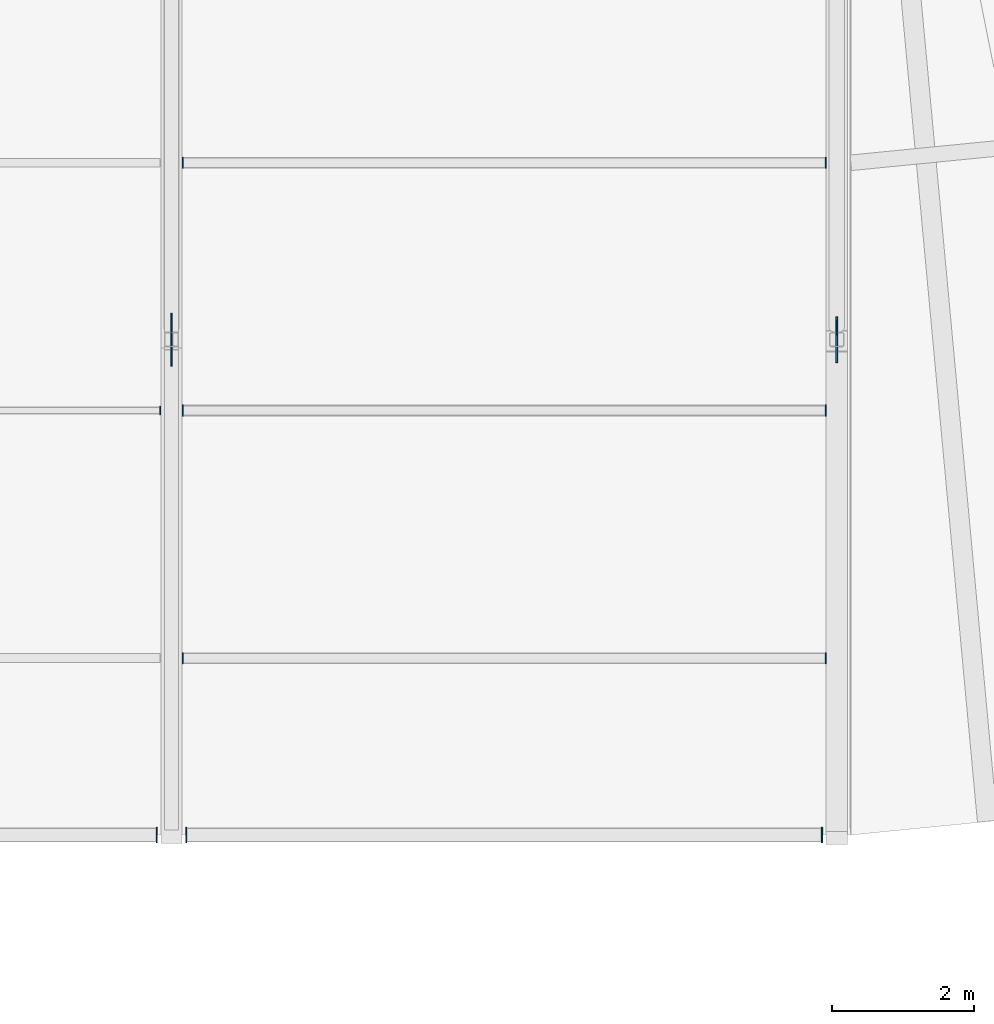
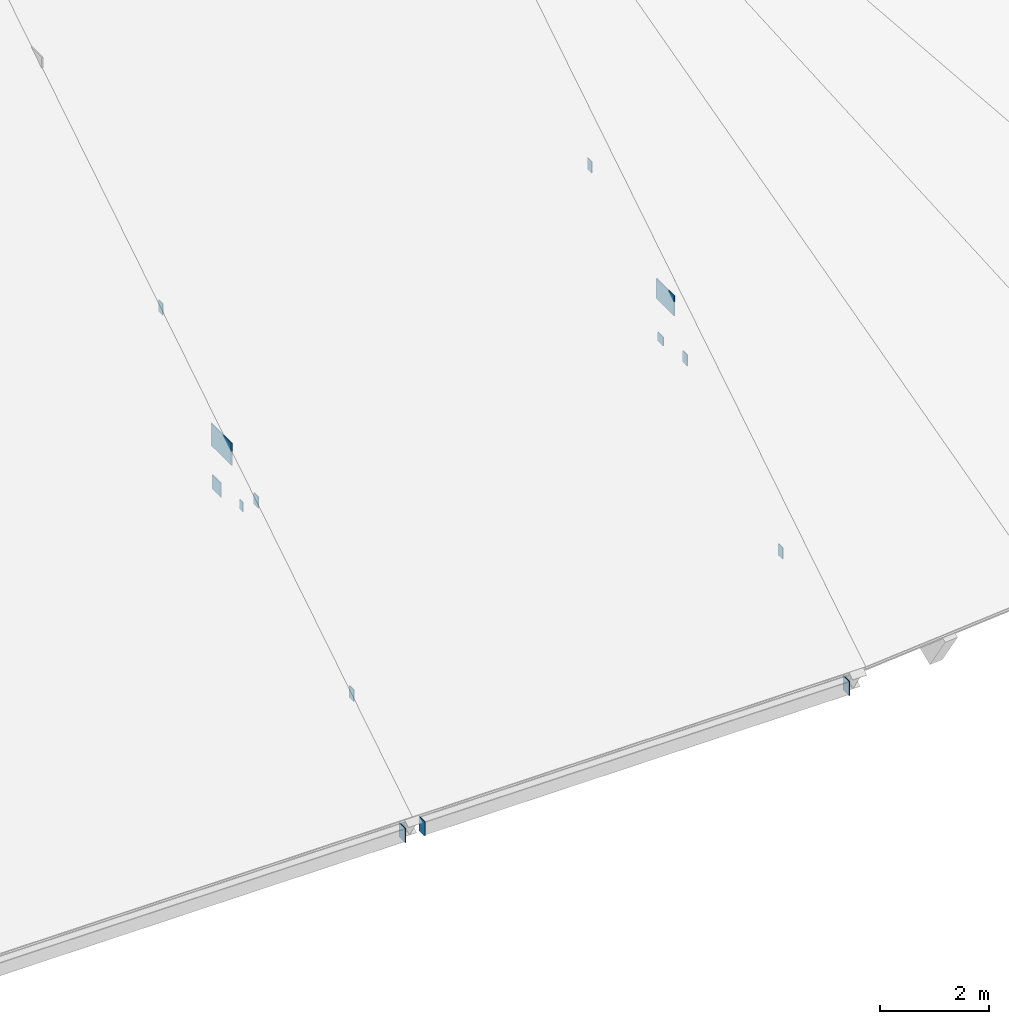
# One storey, part 59 of 66: 14 plates.
"""IFC4 building model written with IfcOpenShell, lengths in metres."""

from ifc_helpers import new_model, si_unit, direction, frame, origin, origin_2d, place, context, subcontext, project, spatial, rectangle, extrude, material, layer, layer_set, type_object, element, save


model = new_model("IFC4")

# Units and contexts
model_context = context("Model", 3, precision=1e-05, world=origin(), true_north=direction((0.0, 1.0)))
body_context = subcontext(model_context, "Body", "Model", "MODEL_VIEW")
ifc_project = project(units=[si_unit("LENGTHUNIT", "METRE"), si_unit("AREAUNIT", "SQUARE_METRE"), si_unit("VOLUMEUNIT", "CUBIC_METRE"), si_unit("PLANEANGLEUNIT", "RADIAN"), si_unit("MASSUNIT", "GRAM", prefix="KILO")], contexts=[model_context])

# Site, building, storey
site_placement = place(None, origin())
site = spatial("IfcSite", under=ifc_project, at=site_placement, CompositionType="ELEMENT")
building_placement = place(site_placement, origin())
building = spatial("IfcBuilding", under=site, at=building_placement, Name="Yeouljin Market Hall", CompositionType="ELEMENT")
storey_placement = place(building_placement, frame((0.0, 0.0, 23.39990234375)))
storey = spatial("IfcBuildingStorey", under=building, at=storey_placement, Name="RF", CompositionType="ELEMENT", Elevation=23.39990234375)

# Plates
ifc_material_1 = material(Name="Steel SM355", Category="steel")
ifc_layer_1 = layer(ifc_material_1, 0.01611328125)
ifc_layer_set_1 = layer_set([ifc_layer_1], Name="Steel SM355")
plate_type_1 = type_object("IfcPlateType", Name="CapPlate_200x200x16", PredefinedType="SHEET", material=ifc_layer_set_1)
plate_1_placement = place(storey_placement, frame((140.800048828125, 43.172119140625, -9.04052734375), z_axis=(0.0, 0.0, 1.0), x_axis=(0.0, 1.0, 0.0)))
element("IfcPlate", 1, at=plate_1_placement, inside=storey, type_object=plate_type_1, Name="Hollow web end-cap plate 0045", PredefinedType="SHEET", context=body_context, shape_type="SweptSolid", body=[
    extrude(rectangle(XDim=0.199951171875, YDim=0.01611328125, at=origin_2d()), origin(), (0.0, 0.0, 1.0), 0.199951171875),
])
ifc_material_2 = material(Name="Steel SM355", Category="steel")
ifc_layer_2 = layer(ifc_material_2, 0.01611328125)
ifc_layer_set_2 = layer_set([ifc_layer_2], Name="Steel SM355")
plate_type_2 = type_object("IfcPlateType", Name="CapPlate_220x120x16", PredefinedType="SHEET", material=ifc_layer_set_2)
plate_2_placement = place(storey_placement, frame((131.241943359375, 42.0, -8.71826171875), z_axis=(0.0, 0.0, 1.0), x_axis=(0.0, 1.0, 0.0)))
element("IfcPlate", 2, at=plate_2_placement, inside=storey, type_object=plate_type_2, Name="Purlin end-cap plate 0218", PredefinedType="SHEET", context=body_context, shape_type="SweptSolid", body=[
    extrude(rectangle(XDim=0.1201171875, YDim=0.01611328125, at=origin_2d()), origin(), (0.0, 0.0, 1.0), 0.219970703125),
])
ifc_material_3 = material(Name="Steel SM355", Category="steel")
ifc_layer_3 = layer(ifc_material_3, 0.01611328125)
ifc_layer_set_3 = layer_set([ifc_layer_3], Name="Steel SM355")
plate_type_3 = type_object("IfcPlateType", Name="CapPlate_260x160x16", PredefinedType="SHEET", material=ifc_layer_set_3)
for number, where, z_axis, x_axis, name in (
    (3, (131.55810546875, 38.5, -10.9384765625), (0.0, 0.0, 1.0), (0.0, 1.0, 0.0), "Purlin end-cap plate 0229"),
    (4, (140.64208984375, 38.5, -10.9384765625), (0.0, 0.0, 1.0), (0.0, 1.0, 0.0), "Purlin end-cap plate 0230"),
    (5, (131.55810546875, 42.0, -8.73828125), (0.0, 0.0, 1.0), (0.0, 1.0, 0.0), "Purlin end-cap plate 0231"),
    (6, (140.64208984375, 42.0, -8.73828125), (0.0, 0.0, 1.0), (0.0, 1.0, 0.0), "Purlin end-cap plate 0232"),
    (7, (131.55810546875, 45.5, -6.53857421875), (0.0, 0.0, 1.0), (0.0, 1.0, 0.0), "Purlin end-cap plate 0233"),
    (8, (140.64208984375, 45.5, -6.53857421875), (0.0, 0.0, 1.0), (0.0, 1.0, 0.0), "Purlin end-cap plate 0234"),
):
    element("IfcPlate", number, at=place(storey_placement, frame(where, z_axis=z_axis, x_axis=x_axis)), inside=storey, type_object=plate_type_3, Name=name, PredefinedType="SHEET", context=body_context, shape_type="SweptSolid", body=[
        extrude(rectangle(XDim=0.159912109375, YDim=0.01611328125, at=origin_2d()), origin(), (0.0, 0.0, 1.0), 0.260009765625),
    ])
ifc_material_4 = material(Name="Steel SM355", Category="steel")
ifc_layer_4 = layer(ifc_material_4, 0.01611328125)
ifc_layer_set_4 = layer_set([ifc_layer_4], Name="Steel SM355")
plate_type_4 = type_object("IfcPlateType", Name="CapPlate_320x220x16", PredefinedType="SHEET", material=ifc_layer_set_4)
for number, where, z_axis, x_axis, name in (
    (9, (131.19189453125, 36.0, -12.43994140625), (0.0, 0.0, 1.0), (0.0, 1.0, 0.0), "Eaves girder end-cap plate S10-E"),
    (10, (131.60791015625, 36.0, -12.43994140625), (0.0, 0.0, 1.0), (0.0, 1.0, 0.0), "Eaves girder end-cap plate S11-W"),
    (11, (140.592041015625, 36.0, -12.43994140625), (0.0, 0.0, 1.0), (0.0, 1.0, 0.0), "Eaves girder end-cap plate S11-E"),
):
    element("IfcPlate", number, at=place(storey_placement, frame(where, z_axis=z_axis, x_axis=x_axis)), inside=storey, type_object=plate_type_4, Name=name, PredefinedType="SHEET", context=body_context, shape_type="SweptSolid", body=[
        extrude(rectangle(XDim=0.219970703125, YDim=0.01611328125, at=origin_2d()), origin(), (0.0, 0.0, 1.0), 0.320068359375),
    ])
ifc_material_5 = material(Name="Steel SM355", Category="steel")
ifc_layer_5 = layer(ifc_material_5, 0.02001953125)
ifc_layer_set_5 = layer_set([ifc_layer_5], Name="Steel SM355")
plate_type_5 = type_object("IfcPlateType", Name="CapPlate_320x320x20", PredefinedType="SHEET", material=ifc_layer_set_5)
plate_3_placement = place(storey_placement, frame((131.39990234375, 43.172119140625, -9.1005859375), z_axis=(0.0, 0.0, 1.0), x_axis=(0.0, 1.0, 0.0)))
element("IfcPlate", 12, at=plate_3_placement, inside=storey, type_object=plate_type_5, Name="Hollow web end-cap plate 0041", PredefinedType="SHEET", context=body_context, shape_type="SweptSolid", body=[
    extrude(rectangle(XDim=0.320068359375, YDim=0.02001953125, at=origin_2d()), origin(), (0.0, 0.0, 1.0), 0.320068359375),
])
ifc_material_6 = material(Name="Steel SM355", Category="steel")
ifc_layer_6 = layer(ifc_material_6, 0.02197265625)
ifc_layer_set_6 = layer_set([ifc_layer_6], Name="Steel SM355")
plate_type_6 = type_object("IfcPlateType", Name="GussetPlate_650x450x22", PredefinedType="USERDEFINED", material=ifc_layer_set_6)
plate_4_placement = place(storey_placement, frame((140.800048828125, 43.0, -8.125), z_axis=(0.0, 0.0, 1.0), x_axis=(0.0, 1.0, 0.0)))
element("IfcPlate", 13, at=plate_4_placement, inside=storey, type_object=plate_type_6, Name="Truss node gusset plate 056", ObjectType="GUSSET PLATE", PredefinedType="USERDEFINED", context=body_context, shape_type="SweptSolid", body=[
    extrude(rectangle(XDim=0.64990234375, YDim=0.02197265625, at=origin_2d()), origin(), (0.0, 0.0, 1.0), 0.449951171875),
])
ifc_material_7 = material(Name="Steel SM355", Category="steel")
ifc_layer_7 = layer(ifc_material_7, 0.02392578125)
ifc_layer_set_7 = layer_set([ifc_layer_7], Name="Steel SM355")
plate_type_7 = type_object("IfcPlateType", Name="GussetPlate_750x500x24", PredefinedType="USERDEFINED", material=ifc_layer_set_7)
plate_5_placement = place(storey_placement, frame((131.39990234375, 43.0, -8.14990234375), z_axis=(0.0, 0.0, 1.0), x_axis=(0.0, 1.0, 0.0)))
element("IfcPlate", 14, at=plate_5_placement, inside=storey, type_object=plate_type_7, Name="Truss node gusset plate 051", ObjectType="GUSSET PLATE", PredefinedType="USERDEFINED", context=body_context, shape_type="SweptSolid", body=[
    extrude(rectangle(XDim=0.75, YDim=0.02392578125, at=origin_2d()), origin(), (0.0, 0.0, 1.0), 0.5),
])

save(model, "model.ifc")
